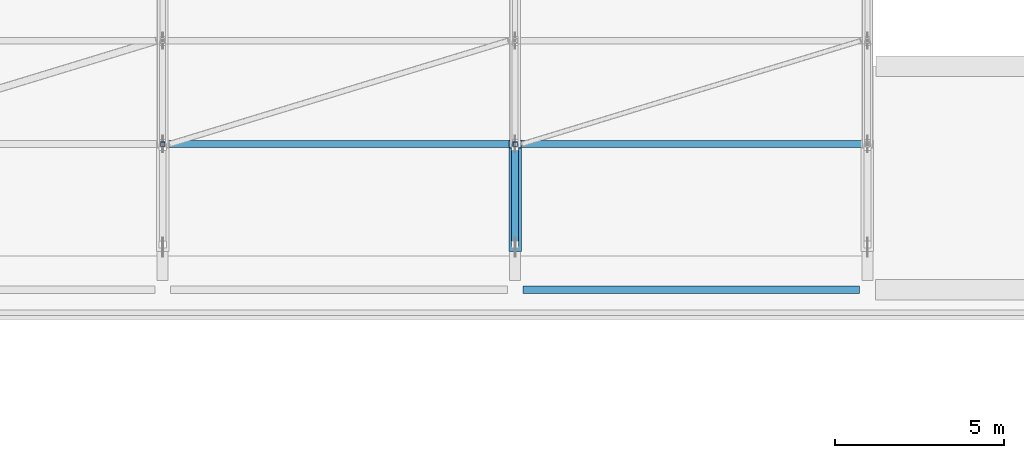
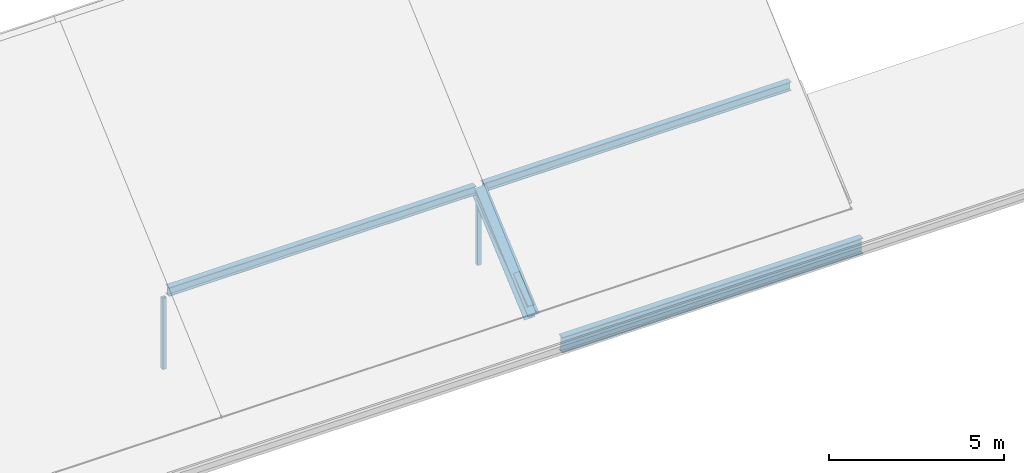
# One storey, part 22 of 86: 4 members, 3 beams.
"""IFC4 building model written with IfcOpenShell, lengths in metres."""

from ifc_helpers import new_model, si_unit, derived_unit, direction, frame, origin, origin_2d, place, context, subcontext, project, spatial, hollow_rectangle, i_section, extrude, material, material_profile, profile_set, type_object, element, save


model = new_model("IFC4")

# Units and contexts
model_context = context("Model", 3, precision=1e-05, world=origin(), true_north=direction((0.0, 1.0)))
body_context = subcontext(model_context, "Body", "Model", "MODEL_VIEW")
ifc_project = project(units=[si_unit("LENGTHUNIT", "METRE"), si_unit("AREAUNIT", "SQUARE_METRE"), si_unit("VOLUMEUNIT", "CUBIC_METRE"), si_unit("PLANEANGLEUNIT", "RADIAN"), si_unit("MASSUNIT", "GRAM", prefix="KILO"), derived_unit("THERMALTRANSMITTANCEUNIT", [(si_unit("POWERUNIT", "WATT"), 1), (si_unit("LENGTHUNIT", "METRE"), -2), (si_unit("THERMODYNAMICTEMPERATUREUNIT", "KELVIN"), -1)])], contexts=[model_context])

# Site, building, storey
site_placement = place(None, origin())
site = spatial("IfcSite", under=ifc_project, at=site_placement, CompositionType="ELEMENT")
building_placement = place(site_placement, origin())
building = spatial("IfcBuilding", under=site, at=building_placement, Name="Braskholm Square Health Centre", CompositionType="ELEMENT")
storey_placement = place(building_placement, frame((0.0, 0.0, 13.5)))
storey = spatial("IfcBuildingStorey", under=building, at=storey_placement, Name="L04", CompositionType="ELEMENT", Elevation=13.5)

# Beams
ifc_material_1 = material(Name="Steel ASTM A992 Grade 50", Category="steel")
ifc_material_profile_1 = material_profile(ifc_material_1, i_section(OverallWidth=0.202880859375, OverallDepth=0.302978515625, WebThickness=0.007568359375, FlangeThickness=0.01318359375, at=origin_2d()), Name="W12X40")
ifc_profile_set_1 = profile_set([ifc_material_profile_1], Name="Steel ASTM A992 Grade 50")
beam_type_1 = type_object("IfcBeamType", Name="RoofPurlinJoistW12X40", PredefinedType="JOIST", material=ifc_profile_set_1)
for number, where, z_axis, x_axis, name in (
    (1, (99.719970703125, 91.5, 2.402099609375), (1.0, 0.0, 0.0), (0.0, 1.0, 0.0), "ROOF TRUSS purlin joist 026"),
    (2, (110.1201171875, 91.5, 2.402099609375), (1.0, 0.0, 0.0), (0.0, 1.0, 0.0), "ROOF TRUSS purlin joist 031"),
):
    element("IfcBeam", number, at=place(storey_placement, frame(where, z_axis=z_axis, x_axis=x_axis)), inside=storey, type_object=beam_type_1, Name=name, PredefinedType="JOIST", context=body_context, shape_type="SweptSolid", body=[
        extrude(i_section(OverallWidth=0.202880859375, OverallDepth=0.302978515625, WebThickness=0.007568359375, FlangeThickness=0.01318359375, at=origin_2d()), origin(), (0.0, 0.0, 1.0), 10.159912109375),
    ])
ifc_material_profile_2 = material_profile(ifc_material_1, i_section(OverallWidth=0.2119140625, OverallDepth=0.5439453125, WebThickness=0.01318359375, FlangeThickness=0.021240234375, at=origin_2d()), Name="W21X83")
ifc_profile_set_2 = profile_set([ifc_material_profile_2], Name="Steel ASTM A992 Grade 50")
beam_type_2 = type_object("IfcBeamType", Name="SteelGirderEaveW21X83", PredefinedType="BEAM", material=ifc_profile_set_2)
beam_placement = place(storey_placement, frame((110.22998046875, 87.199951171875, -0.52197265625), z_axis=(1.0, 0.0, 0.0), x_axis=(0.0, 1.0, 0.0)))
element("IfcBeam", 3, at=beam_placement, inside=storey, type_object=beam_type_2, Name="Beam 14-15/N L04", PredefinedType="BEAM", context=body_context, shape_type="SweptSolid", body=[
    extrude(i_section(OverallWidth=0.2119140625, OverallDepth=0.5439453125, WebThickness=0.01318359375, FlangeThickness=0.021240234375, at=origin_2d()), origin(), (0.0, 0.0, 1.0), 9.93994140625),
])

# Members
ifc_material_2 = material(Name="Steel ASTM A500 Grade C", Category="steel")
ifc_material_profile_3 = material_profile(ifc_material_2, hollow_rectangle(XDim=0.203125, YDim=0.203125, WallThickness=0.01171875, at=origin_2d()), Name="HSS8X8X1/2")
ifc_profile_set_3 = profile_set([ifc_material_profile_3], Name="Steel ASTM A500 Grade C")
member_type_1 = type_object("IfcMemberType", Name="TrussOuterDiagHSS8X8X12", PredefinedType="BRACE", material=ifc_profile_set_3)
member_1_placement = place(storey_placement, frame((110.0, 88.5458984375, 0.031005859375), z_axis=(0.0, 0.803191214474, 0.595721304799), x_axis=(-1.0, 0.0, 0.0)))
element("IfcMember", 4, at=member_1_placement, inside=storey, type_object=member_type_1, Name="ROOF TRUSS diagonal web TR-07-D1", PredefinedType="BRACE", context=body_context, shape_type="SweptSolid", body=[
    extrude(hollow_rectangle(XDim=0.203125, YDim=0.203125, WallThickness=0.01171875, at=origin_2d()), origin(), (0.0, 0.0, 1.0), 3.55859375),
])
ifc_material_profile_4 = material_profile(ifc_material_1, i_section(OverallWidth=0.368896484375, OverallDepth=0.35595703125, WebThickness=0.01123046875, FlangeThickness=0.01806640625, at=origin_2d()), Name="W14X90")
ifc_profile_set_4 = profile_set([ifc_material_profile_4], Name="Steel ASTM A992 Grade 50")
member_type_2 = type_object("IfcMemberType", Name="TrussTopChordW14X90", PredefinedType="CHORD", material=ifc_profile_set_4)
member_2_placement = place(storey_placement, frame((110.0, 88.449951171875, -0.260009765625), z_axis=(0.0, 0.755846764348, 0.654748553892), x_axis=(-1.0, 0.0, 0.0)))
element("IfcMember", 5, at=member_2_placement, inside=storey, type_object=member_type_2, Name="ROOF TRUSS top chord TR-07-1", PredefinedType="CHORD", context=body_context, shape_type="SweptSolid", body=[
    extrude(i_section(OverallWidth=0.368896484375, OverallDepth=0.35595703125, WebThickness=0.01123046875, FlangeThickness=0.01806640625, at=origin_2d()), origin(), (0.0, 0.0, 1.0), 4.03515625),
])
ifc_material_profile_5 = material_profile(ifc_material_2, hollow_rectangle(XDim=0.126953125, YDim=0.126953125, WallThickness=0.00732421875, at=origin_2d()), Name="HSS5X5X5/16")
ifc_profile_set_5 = profile_set([ifc_material_profile_5], Name="Steel ASTM A500 Grade C")
member_type_3 = type_object("IfcMemberType", Name="TrussVerticalStrutHSS5X5", PredefinedType="STRUT", material=ifc_profile_set_5)
for number, where, z_axis, x_axis, name in (
    (6, (99.60009765625, 91.5, -0.27001953125), (0.0, 0.0, 1.0), (1.0, 0.0, 0.0), "ROOF TRUSS vertical strut TR-06-V1"),
    (7, (110.0, 91.5, -0.27001953125), (0.0, 0.0, 1.0), (1.0, 0.0, 0.0), "ROOF TRUSS vertical strut TR-07-V1"),
):
    element("IfcMember", number, at=place(storey_placement, frame(where, z_axis=z_axis, x_axis=x_axis)), inside=storey, type_object=member_type_3, Name=name, PredefinedType="STRUT", context=body_context, shape_type="SweptSolid", body=[
        extrude(hollow_rectangle(XDim=0.126953125, YDim=0.126953125, WallThickness=0.00732421875, at=origin_2d()), origin(), (0.0, 0.0, 1.0), 2.4921875),
    ])

save(model, "model.ifc")
